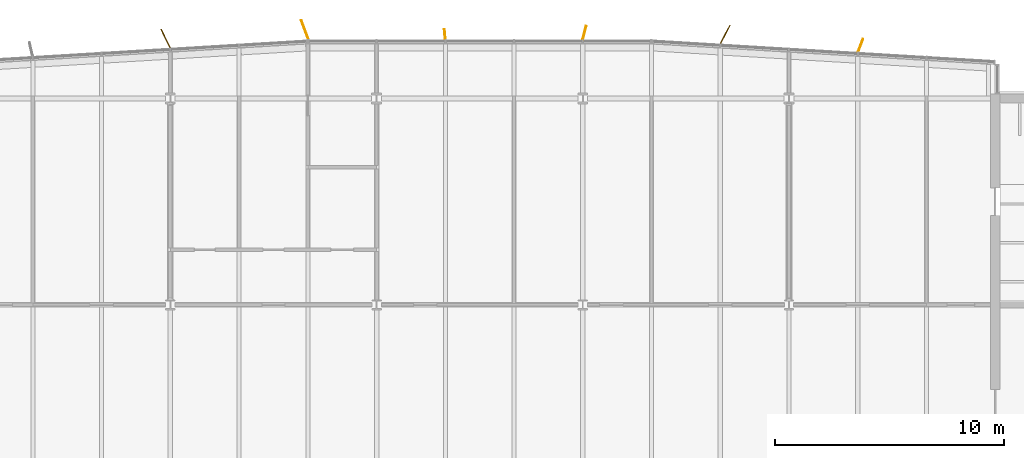
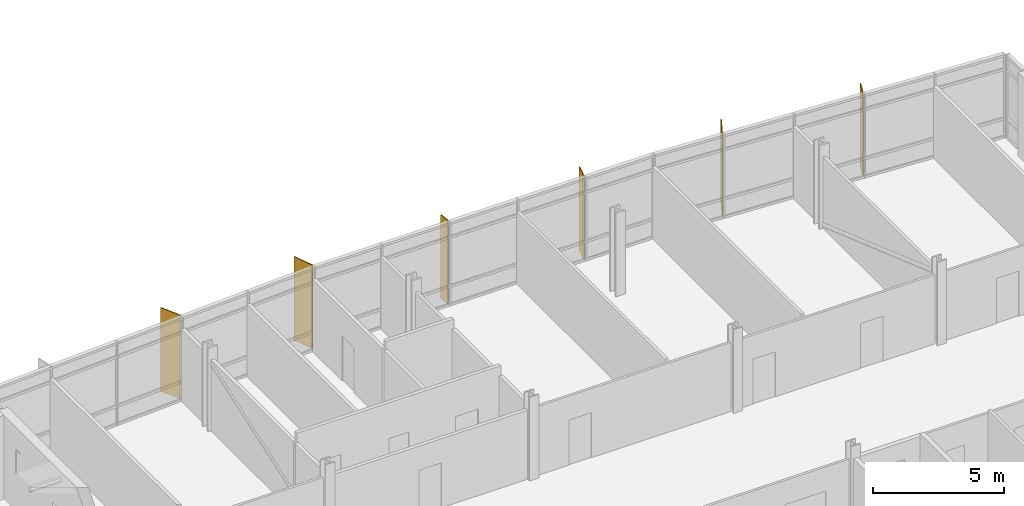
# One storey, part 17 of 17: 6 shading devices.
"""IFC4 building model written with IfcOpenShell, lengths in metres."""

from ifc_helpers import new_model, si_unit, direction, frame, origin, origin_2d, place, context, subcontext, project, spatial, rectangle, extrude, material, layer, layer_set, type_object, element, save


model = new_model("IFC4")

# Units and contexts
model_context = context("Model", 3, precision=1e-05, world=origin(), true_north=direction((0.0, 1.0)))
body_context = subcontext(model_context, "Body", "Model", "MODEL_VIEW")
ifc_project = project(units=[si_unit("LENGTHUNIT", "METRE"), si_unit("AREAUNIT", "SQUARE_METRE"), si_unit("VOLUMEUNIT", "CUBIC_METRE"), si_unit("PLANEANGLEUNIT", "RADIAN"), si_unit("MASSUNIT", "GRAM", prefix="KILO")], contexts=[model_context])

# Site, building, storey
site_placement = place(None, origin())
site = spatial("IfcSite", under=ifc_project, at=site_placement, CompositionType="ELEMENT")
building_placement = place(site_placement, origin())
building = spatial("IfcBuilding", under=site, at=building_placement, Name="Azimuth Sports and Learning Centre", CompositionType="ELEMENT")
storey_placement = place(building_placement, frame((0.0, 0.0, 40.199951171875)))
storey = spatial("IfcBuildingStorey", under=building, at=storey_placement, Name="L08", CompositionType="ELEMENT", Elevation=40.199951171875)

# Shading devices
ifc_material_1 = material(Name="Aluminium", Category="aluminium")
ifc_layer_1 = layer(ifc_material_1, 0.0400390625)
ifc_layer_set_1 = layer_set([ifc_layer_1], Name="Aluminium")
shading_device_type_1 = type_object("IfcShadingDeviceType", Name="Shading fin 450", PredefinedType="JALOUSIE", material=ifc_layer_set_1)
shading_device_placement = place(storey_placement, frame((83.98046875, 119.80419921875, 0.0), z_axis=(0.0, 0.0, 1.0), x_axis=(-0.086979796274, 0.996210075757, 0.0)))
element("IfcShadingDevice", 1, at=shading_device_placement, inside=storey, type_object=shading_device_type_1, Name="Shading fin F08-011", PredefinedType="JALOUSIE", context=body_context, shape_type="SweptSolid", body=[
    extrude(rectangle(XDim=0.449951171875, YDim=0.0400390625, at=origin_2d()), origin(), (0.0, 0.0, 1.0), 3.89990234375),
])
ifc_material_2 = material(Name="Aluminium", Category="aluminium")
ifc_layer_2 = layer(ifc_material_2, 0.0400390625)
ifc_layer_set_2 = layer_set([ifc_layer_2], Name="Aluminium")
shading_device_type_2 = type_object("IfcShadingDeviceType", Name="Shading fin 600", PredefinedType="JALOUSIE", material=ifc_layer_set_2)
for number, where, z_axis, x_axis, name in (
    (2, (102.11962890625, 119.3193359375, 0.0), (0.0, 0.0, 1.0), (0.362748531664, 0.931887065462, 0.0), "Shading fin F08-008"),
    (3, (90.072998046875, 119.870849609375, 0.0), (0.0, 0.0, 1.0), (0.243730896369, 0.969842899729, 0.0), "Shading fin F08-010"),
):
    element("IfcShadingDevice", number, at=place(storey_placement, frame(where, z_axis=z_axis, x_axis=x_axis)), inside=storey, type_object=shading_device_type_2, Name=name, PredefinedType="JALOUSIE", context=body_context, shape_type="SweptSolid", body=[
        extrude(rectangle(XDim=0.60009765625, YDim=0.0400390625, at=origin_2d()), origin(), (0.0, 0.0, 1.0), 3.89990234375),
    ])
ifc_material_3 = material(Name="Aluminium", Category="aluminium")
ifc_layer_3 = layer(ifc_material_3, 0.0400390625)
ifc_layer_set_3 = layer_set([ifc_layer_3], Name="Aluminium")
shading_device_type_3 = type_object("IfcShadingDeviceType", Name="Shading fin 900", PredefinedType="JALOUSIE", material=ifc_layer_set_3)
for number, where, z_axis, x_axis, name in (
    (4, (96.21728515625, 119.799560546875, 0.0), (0.0, 0.0, 1.0), (0.458682723789, 0.888600111916, 0.0), "Shading fin F08-009"),
    (5, (77.870361328125, 120.000732421875, 0.0), (0.0, 0.0, 1.0), (-0.354855844612, 0.934921028507, 0.0), "Shading fin F08-012"),
    (6, (71.7900390625, 119.623291015625, 0.0), (0.0, 0.0, 1.0), (-0.442429089314, 0.896803490698, 0.0), "Shading fin F08-013"),
):
    element("IfcShadingDevice", number, at=place(storey_placement, frame(where, z_axis=z_axis, x_axis=x_axis)), inside=storey, type_object=shading_device_type_3, Name=name, PredefinedType="JALOUSIE", context=body_context, shape_type="SweptSolid", body=[
        extrude(rectangle(XDim=0.89990234375, YDim=0.0400390625, at=origin_2d()), origin(), (0.0, 0.0, 1.0), 3.89990234375),
    ])

save(model, "model.ifc")
